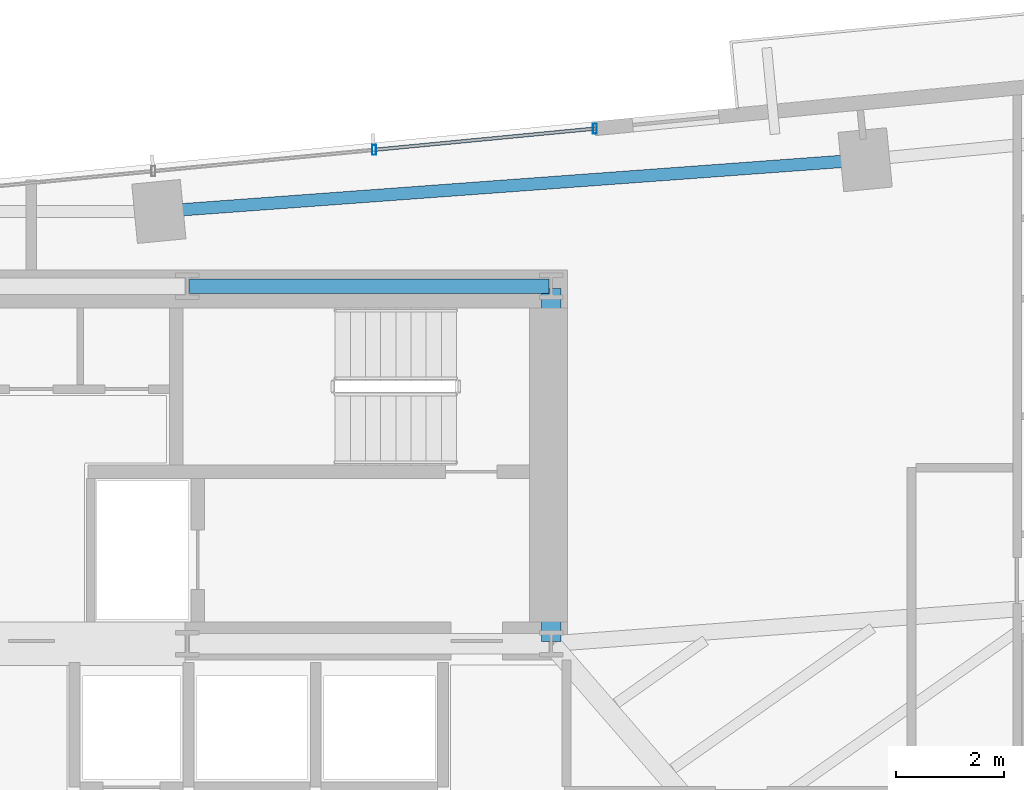
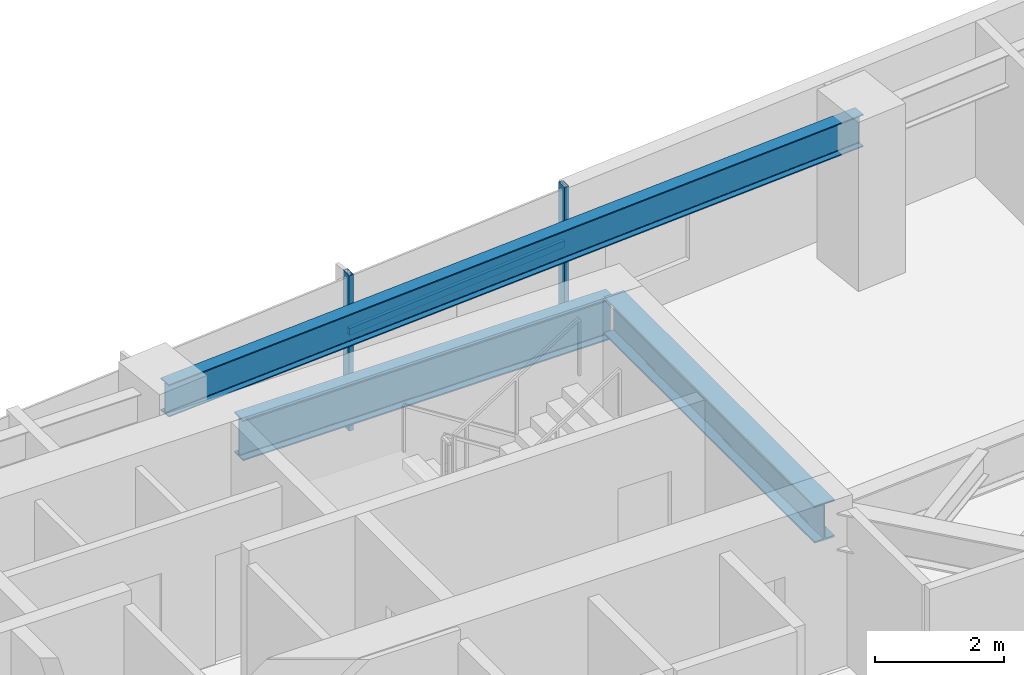
# One storey, part 17 of 27: 3 beams, 3 members, 1 element without a shape of its own.
"""IFC4 building model written with IfcOpenShell, lengths in metres."""

from ifc_helpers import new_model, si_unit, direction, frame, origin, origin_2d, place, context, subcontext, project, spatial, hollow_rectangle, i_section, extrude, source, transform, mapped, material, material_profile, profile_set, type_object, type_shapes, element, aggregate, save


model = new_model("IFC4")

# Units and contexts
model_context = context("Model", 3, precision=1e-05, world=origin(), true_north=direction((0.0, 1.0)))
body_context = subcontext(model_context, "Body", "Model", "MODEL_VIEW")
ifc_project = project(units=[si_unit("LENGTHUNIT", "METRE"), si_unit("AREAUNIT", "SQUARE_METRE"), si_unit("VOLUMEUNIT", "CUBIC_METRE"), si_unit("PLANEANGLEUNIT", "RADIAN"), si_unit("MASSUNIT", "GRAM", prefix="KILO")], contexts=[model_context])

# Site, building, storey
site_placement = place(None, origin())
site = spatial("IfcSite", under=ifc_project, at=site_placement, CompositionType="ELEMENT")
building_placement = place(site_placement, origin())
building = spatial("IfcBuilding", under=site, at=building_placement, Name="Astriad Promenade Condominiums", CompositionType="ELEMENT")
storey_placement = place(building_placement, frame((0.0, 0.0, 97.0)))
storey = spatial("IfcBuildingStorey", under=building, at=storey_placement, Name="L27", CompositionType="ELEMENT", Elevation=97.0)

# Beams
ifc_material_1 = material(Name="Steel ASTM A992 Grade 50", Category="steel")
ifc_material_profile_1 = material_profile(ifc_material_1, i_section(OverallWidth=0.267822265625, OverallDepth=0.76953125, WebThickness=0.015625, FlangeThickness=0.025390625, FilletRadius=0.021484375, at=origin_2d()), Name="W30X132")
ifc_profile_set_1 = profile_set([ifc_material_profile_1], Name="Steel ASTM A992 Grade 50")
beam_type_1 = type_object("IfcBeamType", Name="STEEL FLOOR GIRDER W30X132", PredefinedType="BEAM", material=ifc_profile_set_1)
shared_shape_1 = source(origin(), body_context, "Body", "SweptSolid", [
    extrude(i_section(OverallWidth=0.267822265625, OverallDepth=0.76953125, WebThickness=0.015625, FlangeThickness=0.025390625, FilletRadius=0.021484375, at=origin_2d()), origin(), (0.0, 0.0, 1.0), 6.64013671875),
])
type_shapes(beam_type_1, [shared_shape_1])
beam_1_placement = place(storey_placement, frame((38.919921875, 24.0, 2.55517578125), z_axis=(1.0, 0.0, 0.0), x_axis=(0.0, 1.0, 0.0)))
element("IfcBeam", 1, at=beam_1_placement, inside=storey, type_object=beam_type_1, Name="Core Ring Beam CG-N3-L27", PredefinedType="BEAM", context=body_context, shape_type="MappedRepresentation", body=[
    mapped(shared_shape_1, transform((0.0, 0.0, 0.0), scale=1.0)),
])
ifc_material_profile_2 = material_profile(ifc_material_1, i_section(OverallWidth=0.35791015625, OverallDepth=0.706298828125, WebThickness=0.018310546875, FlangeThickness=0.0302734375, FilletRadius=0.020263671875, at=origin_2d()), Name="W27X178")
ifc_profile_set_2 = profile_set([ifc_material_profile_2], Name="Steel ASTM A992 Grade 50")
beam_type_2 = type_object("IfcBeamType", Name="STEEL FLOOR GIRDER W27X178", PredefinedType="BEAM", material=ifc_profile_set_2)
shared_shape_2 = source(origin(), body_context, "Body", "SweptSolid", [
    extrude(i_section(OverallWidth=0.35791015625, OverallDepth=0.706298828125, WebThickness=0.018310546875, FlangeThickness=0.0302734375, FilletRadius=0.020263671875, at=origin_2d()), origin(), (0.0, 0.0, 1.0), 6.52001953125),
])
type_shapes(beam_type_2, [shared_shape_2])
beam_2_placement = place(storey_placement, frame((45.60009765625, 17.43994140625, 2.5869140625), z_axis=(0.0, 1.0, 0.0), x_axis=(-1.0, 0.0, 0.0)))
element("IfcBeam", 2, at=beam_2_placement, inside=storey, type_object=beam_type_2, Name="Core Ring Beam CG-E1-L27", PredefinedType="BEAM", context=body_context, shape_type="MappedRepresentation", body=[
    mapped(shared_shape_2, transform((0.0, 0.0, 0.0), scale=1.0)),
])
ifc_material_profile_3 = material_profile(ifc_material_1, i_section(OverallWidth=0.22900390625, OverallDepth=0.612060546875, WebThickness=0.011962890625, FlangeThickness=0.01953125, FilletRadius=0.017822265625, at=origin_2d()), Name="W24X84")
ifc_profile_set_3 = profile_set([ifc_material_profile_3], Name="Steel ASTM A992 Grade 50")
beam_type_3 = type_object("IfcBeamType", Name="STEEL SPANDREL BEAM W24X84", PredefinedType="SPANDREL", material=ifc_profile_set_3)
shared_shape_3 = source(origin(), body_context, "Body", "SweptSolid", [
    extrude(i_section(OverallWidth=0.22900390625, OverallDepth=0.612060546875, WebThickness=0.011962890625, FlangeThickness=0.01953125, FilletRadius=0.017822265625, at=origin_2d()), origin(), (0.0, 0.0, 1.0), 12.99462890625),
])
type_shapes(beam_type_3, [shared_shape_3])
beam_3_placement = place(storey_placement, frame((51.3544921875, 26.33203125, 2.6337890625), z_axis=(-0.997328518297, -0.073046742505, 0.0), x_axis=(0.073046742505, -0.997328518297, 0.0)))
element("IfcBeam", 3, at=beam_3_placement, inside=storey, type_object=beam_type_3, Name="Perimeter Spandrel Beam SP-N3-L27", PredefinedType="SPANDREL", context=body_context, shape_type="MappedRepresentation", body=[
    mapped(shared_shape_3, transform((0.0, 0.0, 0.0), scale=1.0)),
])

# Curtain wall, members
ifc_material_2 = material(Name="Anodised aluminium Black Dark Glass Unitised", Category="aluminium")
curtain_wall_type = type_object("IfcCurtainWallType", Name="CW-B2-DARK", PredefinedType="USERDEFINED", material=ifc_material_2)
curtain_wall_placement = place(storey_placement, origin())
curtain_wall = element("IfcCurtainWall", 4, at=curtain_wall_placement, inside=storey, type_object=curtain_wall_type, Name="CW-L27-N", ObjectType="UNITISED_CURTAIN_WALL", PredefinedType="USERDEFINED")
ifc_material_3 = material(Name="Anodised aluminium 6063-T6 Black", Category="aluminium")
ifc_material_profile_4 = material_profile(ifc_material_3, hollow_rectangle(XDim=0.074951171875, YDim=0.18505859375, WallThickness=0.00439453125, at=origin_2d()), Name="ALU-MUL-75X185")
ifc_profile_set_4 = profile_set([ifc_material_profile_4], Name="Anodised aluminium 6063-T6 Black")
member_type_1 = type_object("IfcMemberType", Name="MUL-ALU-MUL-75X185", PredefinedType="MULLION", material=ifc_profile_set_4)
shared_shape_4 = source(origin(), body_context, "Body", "SweptSolid", [
    extrude(hollow_rectangle(XDim=0.074951171875, YDim=0.18505859375, WallThickness=0.00439453125, at=origin_2d()), origin(), (0.0, 0.0, 1.0), 2.93994140625),
])
type_shapes(member_type_1, [shared_shape_4])
member_1_placement = place(storey_placement, frame((42.330078125, 26.51708984375, 0.0), z_axis=(0.0, 0.0, 1.0), x_axis=(1.0, 0.0, 0.0)))
member_1 = element("IfcMember", 5, at=member_1_placement, type_object=member_type_1, Name="CW-L27-N-MUL-03", PredefinedType="MULLION", context=body_context, shape_type="MappedRepresentation", body=[
    mapped(shared_shape_4, transform((0.0, 0.0, 0.0), scale=1.0)),
])
member_2_placement = place(storey_placement, frame((46.40625, 26.90966796875, 0.0), z_axis=(0.0, 0.0, 1.0), x_axis=(1.0, 0.0, 0.0)))
member_2 = element("IfcMember", 6, at=member_2_placement, type_object=member_type_1, Name="CW-L27-N-MUL-04", PredefinedType="MULLION", context=body_context, shape_type="MappedRepresentation", body=[
    mapped(shared_shape_4, transform((0.0, 0.0, 0.0), scale=1.0)),
])
ifc_material_profile_5 = material_profile(ifc_material_3, hollow_rectangle(XDim=0.06494140625, YDim=0.1298828125, WallThickness=0.00390625, at=origin_2d()), Name="ALU-TRN-65X130")
ifc_profile_set_5 = profile_set([ifc_material_profile_5], Name="Anodised aluminium 6063-T6 Black")
member_type_2 = type_object("IfcMemberType", Name="TRN-ALU-TRN-65X130", PredefinedType="USERDEFINED", material=ifc_profile_set_5)
shared_shape_5 = source(origin(), body_context, "Body", "SweptSolid", [
    extrude(hollow_rectangle(XDim=0.06494140625, YDim=0.1298828125, WallThickness=0.00390625, at=origin_2d()), origin(), (0.0, 0.0, 1.0), 4.094970703125),
])
type_shapes(member_type_2, [shared_shape_5])
member_3_placement = place(storey_placement, frame((42.330078125, 26.51708984375, 1.82275390625), z_axis=(0.995394161585, 0.09586690296, 0.0), x_axis=(-0.09586690296, 0.995394161585, 0.0)))
member_3 = element("IfcMember", 7, at=member_3_placement, type_object=member_type_2, Name="CW-L27-N-TRN-03-0", ObjectType="TRANSOM", PredefinedType="USERDEFINED", context=body_context, shape_type="MappedRepresentation", body=[
    mapped(shared_shape_5, transform((0.0, 0.0, 0.0), scale=1.0)),
])
aggregate(curtain_wall, [member_1, member_2, member_3])

save(model, "model.ifc")
